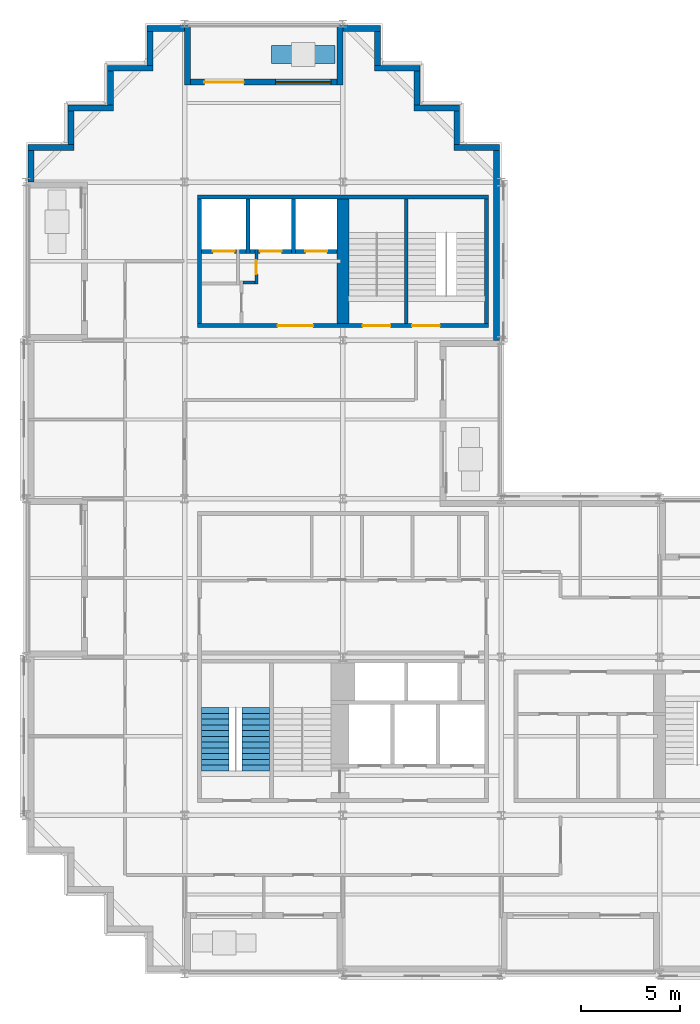
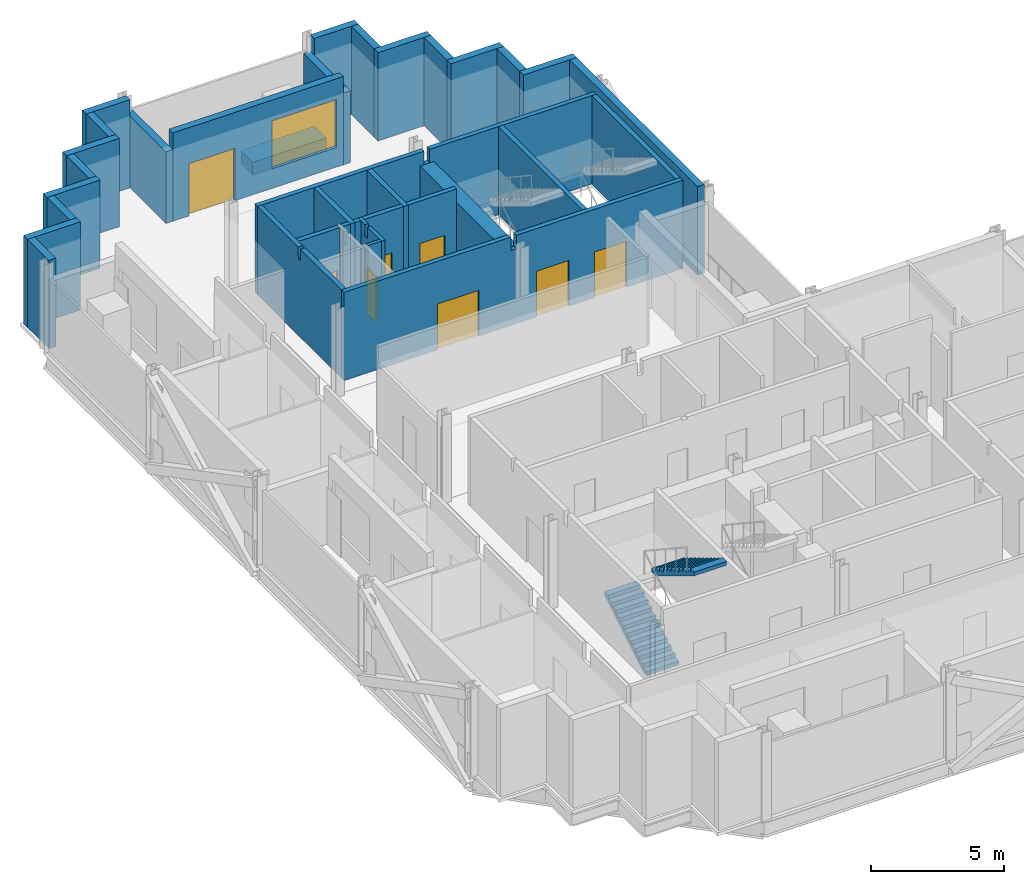
# One storey, part 8 of 12: 35 walls, 8 doors, 2 stair flights, 1 window, 9 openings, 1 element without a shape of its own.
"""IFC4 building model written with IfcOpenShell, lengths in metres."""

from ifc_helpers import new_model, si_unit, direction, frame, frame_2d, origin, place, context, subcontext, project, spatial, polyline, rectangle, outline, extrude, material, layer, layer_set, type_object, element, fill, aggregate, save


model = new_model("IFC4")

# Units and contexts
model_context = context("Model", 3, precision=1e-05, world=origin(), true_north=direction((0.0, 1.0)))
body_context = subcontext(model_context, "Body", "Model", "MODEL_VIEW")
ifc_project = project(units=[si_unit("LENGTHUNIT", "METRE"), si_unit("AREAUNIT", "SQUARE_METRE"), si_unit("VOLUMEUNIT", "CUBIC_METRE"), si_unit("PLANEANGLEUNIT", "RADIAN"), si_unit("MASSUNIT", "GRAM", prefix="KILO")], contexts=[model_context])

# Site, building, storey
site_placement = place(None, origin())
site = spatial("IfcSite", under=ifc_project, at=site_placement, CompositionType="ELEMENT")
building_placement = place(site_placement, origin())
building = spatial("IfcBuilding", under=site, at=building_placement, Name="Immortelle Media Tower", CompositionType="ELEMENT")
storey_placement = place(building_placement, frame((0.0, 0.0, 132.60009765625)))
storey = spatial("IfcBuildingStorey", under=building, at=storey_placement, Name="L26", CompositionType="ELEMENT", Elevation=132.60009765625)

# Wall
ifc_material_1 = material(Name="Fire-rated gypsum board", Category="gypsum")
ifc_layer_1 = layer(ifc_material_1, 0.02490234375)
ifc_material_2 = material(Name="Steel ASTM A653 SS Gr 50 stud frame with mineral wool", Category="steel")
ifc_layer_2 = layer(ifc_material_2, 0.10009765625)
ifc_layer_3 = layer(ifc_material_1, 0.02490234375)
ifc_layer_set_1 = layer_set([ifc_layer_1, ifc_layer_2, ifc_layer_3], Name="Steel ASTM A653 SS Gr 50 stud frame with mineral wool")
wall_type_1 = type_object("IfcWallType", Name="Core partition 150", PredefinedType="PARTITIONING", material=ifc_layer_set_1)
wall_1_placement = place(storey_placement, frame((10.949951171875, 34.925048828125, 0.0), z_axis=(0.0, 0.0, 1.0), x_axis=(1.0, 0.0, 0.0)))
element("IfcWall", 1, at=wall_1_placement, inside=storey, type_object=wall_type_1, Name="Core partition NW", PredefinedType="PARTITIONING", context=body_context, shape_type="SweptSolid", body=[
    extrude(rectangle(XDim=0.60009765625, YDim=0.14990234375, at=frame_2d((0.300048828125, 0.0))), origin(), (0.0, 0.0, 1.0), 4.0498046875),
])

# Wall, opening, door
wall_2_placement = place(storey_placement, frame((11.625, 34.85009765625, 0.0), z_axis=(0.0, 0.0, 1.0), x_axis=(0.0, 1.0, 0.0)))
wall_2 = element("IfcWall", 2, at=wall_2_placement, inside=storey, type_object=wall_type_1, Name="Core partition NW", PredefinedType="PARTITIONING", context=body_context, shape_type="SweptSolid", body=[
    extrude(outline(polyline([(0.0, 0.0), (1.75, 0.0), (1.75, 4.0498046875), (1.237548828125, 4.0498046875), (1.236572265625, 3.517822265625), (1.0634765625, 3.517822265625), (1.0625, 4.0498046875), (0.0, 4.0498046875), (0.0, 0.0)])), frame((0.0, 0.074951171875, 0.0), z_axis=(0.0, -1.0, 0.0), x_axis=(1.0, 0.0, 0.0)), (0.0, 0.0, 1.0), 0.14990234375),
])
opening_1_placement = place(wall_2_placement, frame((0.5, 0.0, 0.0)))
opening_1 = element("IfcOpeningElement", 3, at=opening_1_placement, cuts=wall_2, Name="Opening C2-K024", PredefinedType="OPENING", context=body_context, shape_type="SweptSolid", body=[
    extrude(rectangle(XDim=0.699951171875, YDim=2.10009765625, at=frame_2d((0.35009765625, 1.050048828125))), frame((0.0, 0.0849609375, 0.0), z_axis=(0.0, -1.0, 0.0), x_axis=(1.0, 0.0, 0.0)), (0.0, 0.0, 1.0), 0.169921875),
])
ifc_material_3 = material(Name="Galvanised steel door leaf and frame ASTM A653", Category="steel")
door_type_1 = type_object("IfcDoorType", Name="Service door 700 x 2100", OperationType="NOTDEFINED", PredefinedType="NOTDEFINED", material=ifc_material_3)
door_1_placement = place(opening_1_placement, origin())
door_1 = element("IfcDoor", 4, at=door_1_placement, inside=storey, type_object=door_type_1, Name="Service C2-K024", OperationType="SINGLE_SWING_LEFT", OverallHeight=2.10009765625, OverallWidth=0.699951171875, PredefinedType="NOTDEFINED", context=body_context, shape_type="SweptSolid", body=[
    extrude(rectangle(XDim=0.699951171875, YDim=2.10009765625, at=frame_2d((0.35009765625, 1.050048828125))), frame((0.0, 0.02490234375, 0.0), z_axis=(0.0, -1.0, 0.0), x_axis=(1.0, 0.0, 0.0)), (0.0, 0.0, 1.0), 0.050048828125),
])
fill(opening_1, door_1)

# Wall
ifc_layer_4 = layer(ifc_material_1, 0.03759765625)
ifc_layer_5 = layer(ifc_material_2, 0.125)
ifc_layer_6 = layer(ifc_material_1, 0.03759765625)
ifc_layer_set_2 = layer_set([ifc_layer_4, ifc_layer_5, ifc_layer_6], Name="Steel ASTM A653 SS Gr 50 stud frame with mineral wool")
wall_type_2 = type_object("IfcWallType", Name="Core shaft wall 200", PredefinedType="PARTITIONING", material=ifc_layer_set_2)
wall_3_placement = place(storey_placement, frame((8.75, 32.85009765625, 0.0), z_axis=(0.0, 0.0, 1.0), x_axis=(0.0, 1.0, 0.0)))
element("IfcWall", 5, at=wall_3_placement, inside=storey, type_object=wall_type_2, Name="Core shaft wall NW", PredefinedType="PARTITIONING", context=body_context, shape_type="SweptSolid", body=[
    extrude(outline(polyline([(0.0, 0.0), (6.2998046875, 0.0), (6.300048828125, 4.0498046875), (3.237548828125, 4.0498046875), (3.236572265625, 3.517822265625), (3.0634765625, 3.517822265625), (3.0625, 4.0498046875), (0.0, 4.0498046875), (0.0, 0.0)])), frame((0.0, 0.10009765625, 0.0), z_axis=(0.0, -1.0, 0.0), x_axis=(1.0, 0.0, 0.0)), (0.0, 0.0, 1.0), 0.199951171875),
])

# Wall, opening, door
wall_4_placement = place(storey_placement, frame((8.85009765625, 36.5, 0.0), z_axis=(0.0, 0.0, 1.0), x_axis=(1.0, 0.0, 0.0)))
wall_4 = element("IfcWall", 6, at=wall_4_placement, inside=storey, type_object=wall_type_2, Name="Core shaft wall NW", PredefinedType="PARTITIONING", context=body_context, shape_type="SweptSolid", body=[
    extrude(rectangle(XDim=1.77490234375, YDim=0.199951171875, at=frame_2d((0.887451171875, 0.0))), origin(), (0.0, 0.0, 1.0), 4.0498046875),
])
opening_2_placement = place(wall_4_placement, frame((0.574951171875, 0.0, 0.0)))
opening_2 = element("IfcOpeningElement", 7, at=opening_2_placement, cuts=wall_4, Name="Opening LD", PredefinedType="OPENING", context=body_context, shape_type="SweptSolid", body=[
    extrude(rectangle(XDim=1.10009765625, YDim=2.10009765625, at=frame_2d((0.550048828125, 1.050048828125))), frame((0.0, 0.10986328125, 0.0), z_axis=(0.0, -1.0, 0.0), x_axis=(1.0, 0.0, 0.0)), (0.0, 0.0, 1.0), 0.219970703125),
])
ifc_material_4 = material(Name="Stainless steel AISI 304", Category="steel")
door_type_2 = type_object("IfcDoorType", Name="Landing door 1100 x 2100", OperationType="SLIDING_TO_LEFT", PredefinedType="NOTDEFINED", material=ifc_material_4)
door_2_placement = place(opening_2_placement, origin())
door_2 = element("IfcDoor", 8, at=door_2_placement, inside=storey, type_object=door_type_2, Name="Landing door MR1 L26", OperationType="SLIDING_TO_LEFT", OverallHeight=2.10009765625, OverallWidth=1.10009765625, PredefinedType="NOTDEFINED", context=body_context, shape_type="SweptSolid", body=[
    extrude(rectangle(XDim=1.10009765625, YDim=2.10009765625, at=frame_2d((0.550048828125, 1.050048828125))), frame((0.0, 0.02490234375, 0.0), z_axis=(0.0, -1.0, 0.0), x_axis=(1.0, 0.0, 0.0)), (0.0, 0.0, 1.0), 0.050048828125),
])
fill(opening_2, door_2)

# Walls
wall_5_placement = place(storey_placement, frame((10.77490234375, 36.5, 0.0), z_axis=(0.0, 0.0, 1.0), x_axis=(1.0, 0.0, 0.0)))
element("IfcWall", 9, at=wall_5_placement, inside=storey, type_object=wall_type_2, Name="Core shaft wall NW", PredefinedType="PARTITIONING", context=body_context, shape_type="SweptSolid", body=[
    extrude(rectangle(XDim=0.3251953125, YDim=0.199951171875, at=frame_2d((0.16259765625, 0.0))), origin(), (0.0, 0.0, 1.0), 4.0498046875),
])
wall_6_placement = place(storey_placement, frame((11.199951171875, 36.39990234375, 0.0), z_axis=(0.0, 0.0, 1.0), x_axis=(0.0, 1.0, 0.0)))
element("IfcWall", 10, at=wall_6_placement, inside=storey, type_object=wall_type_2, Name="Core shaft wall NW", PredefinedType="PARTITIONING", context=body_context, shape_type="SweptSolid", body=[
    extrude(rectangle(XDim=2.75, YDim=0.199951171875, at=frame_2d((1.375, 0.0))), origin(), (0.0, 0.0, 1.0), 4.0498046875),
])
wall_7_placement = place(storey_placement, frame((11.300048828125, 36.5, 0.0), z_axis=(0.0, 0.0, 1.0), x_axis=(1.0, 0.0, 0.0)))
element("IfcWall", 11, at=wall_7_placement, inside=storey, type_object=wall_type_2, Name="Core shaft wall NW", PredefinedType="PARTITIONING", context=body_context, shape_type="SweptSolid", body=[
    extrude(rectangle(XDim=0.25, YDim=0.199951171875, at=frame_2d((0.125, 0.0))), origin(), (0.0, 0.0, 1.0), 4.0498046875),
])

# Wall, opening, door
wall_8_placement = place(storey_placement, frame((11.699951171875, 36.5, 0.0), z_axis=(0.0, 0.0, 1.0), x_axis=(1.0, 0.0, 0.0)))
wall_8 = element("IfcWall", 12, at=wall_8_placement, inside=storey, type_object=wall_type_2, Name="Core shaft wall NW", PredefinedType="PARTITIONING", context=body_context, shape_type="SweptSolid", body=[
    extrude(rectangle(XDim=1.699951171875, YDim=0.199951171875, at=frame_2d((0.85009765625, 0.0))), origin(), (0.0, 0.0, 1.0), 4.0498046875),
])
opening_3_placement = place(wall_8_placement, frame((0.10009765625, 0.0, 0.0)))
opening_3 = element("IfcOpeningElement", 13, at=opening_3_placement, cuts=wall_8, Name="Opening LD", PredefinedType="OPENING", context=body_context, shape_type="SweptSolid", body=[
    extrude(rectangle(XDim=1.10009765625, YDim=2.10009765625, at=frame_2d((0.550048828125, 1.050048828125))), frame((0.0, 0.10986328125, 0.0), z_axis=(0.0, -1.0, 0.0), x_axis=(1.0, 0.0, 0.0)), (0.0, 0.0, 1.0), 0.219970703125),
])
door_3_placement = place(opening_3_placement, origin())
door_3 = element("IfcDoor", 14, at=door_3_placement, inside=storey, type_object=door_type_2, Name="Landing door MR2 L26", OperationType="SLIDING_TO_LEFT", OverallHeight=2.10009765625, OverallWidth=1.10009765625, PredefinedType="NOTDEFINED", context=body_context, shape_type="SweptSolid", body=[
    extrude(rectangle(XDim=1.10009765625, YDim=2.10009765625, at=frame_2d((0.550048828125, 1.050048828125))), frame((0.0, 0.02490234375, 0.0), z_axis=(0.0, -1.0, 0.0), x_axis=(1.0, 0.0, 0.0)), (0.0, 0.0, 1.0), 0.050048828125),
])
fill(opening_3, door_3)

# Wall
wall_9_placement = place(storey_placement, frame((13.5, 36.39990234375, 0.0), z_axis=(0.0, 0.0, 1.0), x_axis=(0.0, 1.0, 0.0)))
element("IfcWall", 15, at=wall_9_placement, inside=storey, type_object=wall_type_2, Name="Core shaft wall NW", PredefinedType="PARTITIONING", context=body_context, shape_type="SweptSolid", body=[
    extrude(rectangle(XDim=2.75, YDim=0.199951171875, at=frame_2d((1.375, 0.0))), origin(), (0.0, 0.0, 1.0), 4.0498046875),
])

# Wall, opening, door
wall_10_placement = place(storey_placement, frame((13.60009765625, 36.5, 0.0), z_axis=(0.0, 0.0, 1.0), x_axis=(1.0, 0.0, 0.0)))
wall_10 = element("IfcWall", 16, at=wall_10_placement, inside=storey, type_object=wall_type_2, Name="Core shaft wall NW", PredefinedType="PARTITIONING", context=body_context, shape_type="SweptSolid", body=[
    extrude(rectangle(XDim=2.099853515625, YDim=0.199951171875, at=frame_2d((1.0498046875, 0.0))), origin(), (0.0, 0.0, 1.0), 4.0498046875),
])
opening_4_placement = place(wall_10_placement, frame((0.5, 0.0, 0.0)))
opening_4 = element("IfcOpeningElement", 17, at=opening_4_placement, cuts=wall_10, Name="Opening LD", PredefinedType="OPENING", context=body_context, shape_type="SweptSolid", body=[
    extrude(rectangle(XDim=1.10009765625, YDim=2.10009765625, at=frame_2d((0.550048828125, 1.050048828125))), frame((0.0, 0.10986328125, 0.0), z_axis=(0.0, -1.0, 0.0), x_axis=(1.0, 0.0, 0.0)), (0.0, 0.0, 1.0), 0.219970703125),
])
door_4_placement = place(opening_4_placement, origin())
door_4 = element("IfcDoor", 18, at=door_4_placement, inside=storey, type_object=door_type_2, Name="Landing door MR3 L26", OperationType="SLIDING_TO_LEFT", OverallHeight=2.10009765625, OverallWidth=1.10009765625, PredefinedType="NOTDEFINED", context=body_context, shape_type="SweptSolid", body=[
    extrude(rectangle(XDim=1.10009765625, YDim=2.10009765625, at=frame_2d((0.550048828125, 1.050048828125))), frame((0.0, 0.02490234375, 0.0), z_axis=(0.0, -1.0, 0.0), x_axis=(1.0, 0.0, 0.0)), (0.0, 0.0, 1.0), 0.050048828125),
])
fill(opening_4, door_4)

# Walls
ifc_material_5 = material(Name="Pale aluminium cladding panel", Category="aluminium")
ifc_layer_7 = layer(ifc_material_5, 0.030029296875)
ifc_layer_8 = layer(ifc_material_2, 0.257568359375)
ifc_material_6 = material(Name="Moisture-resistant gypsum board", Category="gypsum")
ifc_layer_9 = layer(ifc_material_6, 0.012451171875)
ifc_layer_set_3 = layer_set([ifc_layer_7, ifc_layer_8, ifc_layer_9], Name="Steel ASTM A653 SS Gr 50 stud frame with mineral wool")
wall_type_3 = type_object("IfcWallType", Name="Facade wall 300", PredefinedType="SOLIDWALL", material=ifc_layer_set_3)
wall_11_placement = place(storey_placement, frame((23.75, 32.0, 0.0), z_axis=(0.0, 0.0, 1.0), x_axis=(0.0, 1.0, 0.0)))
element("IfcWall", 19, at=wall_11_placement, inside=storey, type_object=wall_type_3, Name="Facade wall L26 E21", PredefinedType="SOLIDWALL", context=body_context, shape_type="SweptSolid", body=[
    extrude(rectangle(XDim=9.60009765625, YDim=0.300048828125, at=frame_2d((4.800048828125, 0.0))), origin(), (0.0, 0.0, 1.0), 4.0498046875),
])
wall_12_placement = place(storey_placement, frame((23.89990234375, 41.75, 0.0), z_axis=(0.0, 0.0, 1.0), x_axis=(-1.0, 0.0, 0.0)))
element("IfcWall", 20, at=wall_12_placement, inside=storey, type_object=wall_type_3, Name="Facade wall L26 N22", PredefinedType="SOLIDWALL", context=body_context, shape_type="SweptSolid", body=[
    extrude(rectangle(XDim=2.2998046875, YDim=0.300048828125, at=frame_2d((1.14990234375, 0.0))), origin(), (0.0, 0.0, 1.0), 4.0498046875),
])
wall_13_placement = place(storey_placement, frame((21.75, 41.89990234375, 0.0), z_axis=(0.0, 0.0, 1.0), x_axis=(0.0, 1.0, 0.0)))
element("IfcWall", 21, at=wall_13_placement, inside=storey, type_object=wall_type_3, Name="Facade wall L26 E23", PredefinedType="SOLIDWALL", context=body_context, shape_type="SweptSolid", body=[
    extrude(rectangle(XDim=1.7001953125, YDim=0.300048828125, at=frame_2d((0.85009765625, 0.0))), origin(), (0.0, 0.0, 1.0), 4.0498046875),
])
wall_14_placement = place(storey_placement, frame((21.89990234375, 43.75, 0.0), z_axis=(0.0, 0.0, 1.0), x_axis=(-1.0, 0.0, 0.0)))
element("IfcWall", 22, at=wall_14_placement, inside=storey, type_object=wall_type_3, Name="Facade wall L26 N24", PredefinedType="SOLIDWALL", context=body_context, shape_type="SweptSolid", body=[
    extrude(rectangle(XDim=2.2998046875, YDim=0.300048828125, at=frame_2d((1.14990234375, 0.0))), origin(), (0.0, 0.0, 1.0), 4.0498046875),
])
wall_15_placement = place(storey_placement, frame((19.75, 43.89990234375, 0.0), z_axis=(0.0, 0.0, 1.0), x_axis=(0.0, 1.0, 0.0)))
element("IfcWall", 23, at=wall_15_placement, inside=storey, type_object=wall_type_3, Name="Facade wall L26 E25", PredefinedType="SOLIDWALL", context=body_context, shape_type="SweptSolid", body=[
    extrude(rectangle(XDim=1.7001953125, YDim=0.300048828125, at=frame_2d((0.85009765625, 0.0))), origin(), (0.0, 0.0, 1.0), 4.0498046875),
])
wall_16_placement = place(storey_placement, frame((19.89990234375, 45.75, 0.0), z_axis=(0.0, 0.0, 1.0), x_axis=(-1.0, 0.0, 0.0)))
element("IfcWall", 24, at=wall_16_placement, inside=storey, type_object=wall_type_3, Name="Facade wall L26 N26", PredefinedType="SOLIDWALL", context=body_context, shape_type="SweptSolid", body=[
    extrude(rectangle(XDim=2.2998046875, YDim=0.300048828125, at=frame_2d((1.14990234375, 0.0))), origin(), (0.0, 0.0, 1.0), 4.0498046875),
])
wall_17_placement = place(storey_placement, frame((17.75, 45.89990234375, 0.0), z_axis=(0.0, 0.0, 1.0), x_axis=(0.0, 1.0, 0.0)))
element("IfcWall", 25, at=wall_17_placement, inside=storey, type_object=wall_type_3, Name="Facade wall L26 E27", PredefinedType="SOLIDWALL", context=body_context, shape_type="SweptSolid", body=[
    extrude(rectangle(XDim=1.7001953125, YDim=0.300048828125, at=frame_2d((0.85009765625, 0.0))), origin(), (0.0, 0.0, 1.0), 4.0498046875),
])
wall_18_placement = place(storey_placement, frame((17.89990234375, 47.75, 0.0), z_axis=(0.0, 0.0, 1.0), x_axis=(-1.0, 0.0, 0.0)))
element("IfcWall", 26, at=wall_18_placement, inside=storey, type_object=wall_type_3, Name="Facade wall L26 N28", PredefinedType="SOLIDWALL", context=body_context, shape_type="SweptSolid", body=[
    extrude(rectangle(XDim=1.89990234375, YDim=0.300048828125, at=frame_2d((0.949951171875, 0.0))), origin(), (0.0, 0.0, 1.0), 4.0498046875),
])

# Wall, openings, door, window
wall_19_placement = place(storey_placement, frame((15.699951171875, 45.050048828125, 0.0), z_axis=(0.0, 0.0, 1.0), x_axis=(-1.0, 0.0, 0.0)))
wall_19 = element("IfcWall", 27, at=wall_19_placement, inside=storey, type_object=wall_type_3, Name="Loggia wall L26 N28", PredefinedType="SOLIDWALL", context=body_context, shape_type="SweptSolid", body=[
    extrude(rectangle(XDim=7.39990234375, YDim=0.300048828125, at=frame_2d((3.699951171875, 0.0))), origin(), (0.0, 0.0, 1.0), 4.0498046875),
])
opening_5_placement = place(wall_19_placement, frame((0.300048828125, 0.0, 0.89990234375)))
opening_5 = element("IfcOpeningElement", 28, at=opening_5_placement, cuts=wall_19, Name="Opening W1", PredefinedType="OPENING", context=body_context, shape_type="SweptSolid", body=[
    extrude(rectangle(XDim=2.800048828125, YDim=2.199951171875, at=frame_2d((1.39990234375, 1.10009765625))), frame((0.0, 0.159912109375, 0.0), z_axis=(0.0, -1.0, 0.0), x_axis=(1.0, 0.0, 0.0)), (0.0, 0.0, 1.0), 0.320068359375),
])
opening_6_placement = place(wall_19_placement, frame((4.699951171875, 0.0, 0.0)))
opening_6 = element("IfcOpeningElement", 29, at=opening_6_placement, cuts=wall_19, Name="Opening C2-E006", PredefinedType="OPENING", context=body_context, shape_type="SweptSolid", body=[
    extrude(rectangle(XDim=2.0, YDim=2.39990234375, at=frame_2d((1.0, 1.199951171875))), frame((0.0, 0.159912109375, 0.0), z_axis=(0.0, -1.0, 0.0), x_axis=(1.0, 0.0, 0.0)), (0.0, 0.0, 1.0), 0.320068359375),
])
ifc_material_7 = material(Name="Aluminium frame, glazed leaves", Category="aluminium")
door_type_3 = type_object("IfcDoorType", Name="Loggia door 2000 x 2400", OperationType="DOUBLE_DOOR_SINGLE_SWING", PredefinedType="DOOR", material=ifc_material_7)
door_5_placement = place(opening_6_placement, origin())
door_5 = element("IfcDoor", 30, at=door_5_placement, inside=storey, type_object=door_type_3, Name="Door C2-E006", OperationType="DOUBLE_DOOR_SINGLE_SWING", OverallHeight=2.39990234375, OverallWidth=2.0, PredefinedType="DOOR", context=body_context, shape_type="SweptSolid", body=[
    extrude(rectangle(XDim=2.0, YDim=2.39990234375, at=frame_2d((1.0, 1.199951171875))), frame((0.0, 0.02490234375, 0.0), z_axis=(0.0, -1.0, 0.0), x_axis=(1.0, 0.0, 0.0)), (0.0, 0.0, 1.0), 0.050048828125),
])
fill(opening_6, door_5)
ifc_material_8 = material(Name="Aluminium frame", Category="aluminium")
window_type = type_object("IfcWindowType", Name="Window 2800 x 2200", PartitioningType="SINGLE_PANEL", PredefinedType="WINDOW", material=ifc_material_8)
window_placement = place(opening_5_placement, origin())
window = element("IfcWindow", 31, at=window_placement, inside=storey, type_object=window_type, Name="Window L26 L26-R28-B0", OverallHeight=2.199951171875, OverallWidth=2.800048828125, PartitioningType="SINGLE_PANEL", PredefinedType="WINDOW", context=body_context, shape_type="SweptSolid", body=[
    extrude(rectangle(XDim=2.800048828125, YDim=2.199951171875, at=frame_2d((1.39990234375, 1.10009765625))), frame((0.0, 0.030029296875, 0.0), z_axis=(0.0, -1.0, 0.0), x_axis=(1.0, 0.0, 0.0)), (0.0, 0.0, 1.0), 0.06005859375),
])
fill(opening_5, window)

# Walls
for number, where, z_axis, x_axis, name in (
    (32, (15.85009765625, 47.89990234375, 0.0), (0.0, 0.0, 1.0), (0.0, -1.0, 0.0), "Loggia cheek wall L26 N"),
    (33, (8.14990234375, 47.89990234375, 0.0), (0.0, 0.0, 1.0), (0.0, -1.0, 0.0), "Loggia cheek wall L26 N"),
):
    element("IfcWall", number, at=place(storey_placement, frame(where, z_axis=z_axis, x_axis=x_axis)), inside=storey, type_object=wall_type_3, Name=name, PredefinedType="SOLIDWALL", context=body_context, shape_type="SweptSolid", body=[
        extrude(rectangle(XDim=3.0, YDim=0.300048828125, at=frame_2d((1.5, 0.0))), origin(), (0.0, 0.0, 1.0), 3.286865234375),
    ])
wall_20_placement = place(storey_placement, frame((8.0, 47.75, 0.0), z_axis=(0.0, 0.0, 1.0), x_axis=(-1.0, 0.0, 0.0)))
element("IfcWall", 34, at=wall_20_placement, inside=storey, type_object=wall_type_3, Name="Facade wall L26 N28", PredefinedType="SOLIDWALL", context=body_context, shape_type="SweptSolid", body=[
    extrude(rectangle(XDim=1.89990234375, YDim=0.300048828125, at=frame_2d((0.949951171875, 0.0))), origin(), (0.0, 0.0, 1.0), 4.0498046875),
])
wall_21_placement = place(storey_placement, frame((6.25, 47.60009765625, 0.0), z_axis=(0.0, 0.0, 1.0), x_axis=(0.0, -1.0, 0.0)))
element("IfcWall", 35, at=wall_21_placement, inside=storey, type_object=wall_type_3, Name="Facade wall L26 W29", PredefinedType="SOLIDWALL", context=body_context, shape_type="SweptSolid", body=[
    extrude(rectangle(XDim=1.7001953125, YDim=0.300048828125, at=frame_2d((0.85009765625, 0.0))), origin(), (0.0, 0.0, 1.0), 4.0498046875),
])
wall_22_placement = place(storey_placement, frame((6.39990234375, 45.75, 0.0), z_axis=(0.0, 0.0, 1.0), x_axis=(-1.0, 0.0, 0.0)))
element("IfcWall", 36, at=wall_22_placement, inside=storey, type_object=wall_type_3, Name="Facade wall L26 N30", PredefinedType="SOLIDWALL", context=body_context, shape_type="SweptSolid", body=[
    extrude(rectangle(XDim=2.2998046875, YDim=0.300048828125, at=frame_2d((1.14990234375, 0.0))), origin(), (0.0, 0.0, 1.0), 4.0498046875),
])
wall_23_placement = place(storey_placement, frame((4.25, 45.60009765625, 0.0), z_axis=(0.0, 0.0, 1.0), x_axis=(0.0, -1.0, 0.0)))
element("IfcWall", 37, at=wall_23_placement, inside=storey, type_object=wall_type_3, Name="Facade wall L26 W31", PredefinedType="SOLIDWALL", context=body_context, shape_type="SweptSolid", body=[
    extrude(rectangle(XDim=1.7001953125, YDim=0.300048828125, at=frame_2d((0.85009765625, 0.0))), origin(), (0.0, 0.0, 1.0), 4.0498046875),
])
wall_24_placement = place(storey_placement, frame((4.39990234375, 43.75, 0.0), z_axis=(0.0, 0.0, 1.0), x_axis=(-1.0, 0.0, 0.0)))
element("IfcWall", 38, at=wall_24_placement, inside=storey, type_object=wall_type_3, Name="Facade wall L26 N32", PredefinedType="SOLIDWALL", context=body_context, shape_type="SweptSolid", body=[
    extrude(rectangle(XDim=2.2998046875, YDim=0.300048828125, at=frame_2d((1.14990234375, 0.0))), origin(), (0.0, 0.0, 1.0), 4.0498046875),
])
wall_25_placement = place(storey_placement, frame((2.25, 43.60009765625, 0.0), z_axis=(0.0, 0.0, 1.0), x_axis=(0.0, -1.0, 0.0)))
element("IfcWall", 39, at=wall_25_placement, inside=storey, type_object=wall_type_3, Name="Facade wall L26 W33", PredefinedType="SOLIDWALL", context=body_context, shape_type="SweptSolid", body=[
    extrude(rectangle(XDim=1.7001953125, YDim=0.300048828125, at=frame_2d((0.85009765625, 0.0))), origin(), (0.0, 0.0, 1.0), 4.0498046875),
])
wall_26_placement = place(storey_placement, frame((2.39990234375, 41.75, 0.0), z_axis=(0.0, 0.0, 1.0), x_axis=(-1.0, 0.0, 0.0)))
element("IfcWall", 40, at=wall_26_placement, inside=storey, type_object=wall_type_3, Name="Facade wall L26 N34", PredefinedType="SOLIDWALL", context=body_context, shape_type="SweptSolid", body=[
    extrude(rectangle(XDim=2.2998046875, YDim=0.300048828125, at=frame_2d((1.14990234375, 0.0))), origin(), (0.0, 0.0, 1.0), 4.0498046875),
])
wall_27_placement = place(storey_placement, frame((0.25, 41.60009765625, 0.0), z_axis=(0.0, 0.0, 1.0), x_axis=(0.0, -1.0, 0.0)))
element("IfcWall", 41, at=wall_27_placement, inside=storey, type_object=wall_type_3, Name="Facade wall L26 W35", PredefinedType="SOLIDWALL", context=body_context, shape_type="SweptSolid", body=[
    extrude(rectangle(XDim=1.60009765625, YDim=0.300048828125, at=frame_2d((0.800048828125, 0.0))), origin(), (0.0, 0.0, 1.0), 4.0498046875),
])
ifc_layer_10 = layer(ifc_material_5, 0.0029296875)
ifc_material_9 = material(Name="Steel ASTM A572 Gr 50 planter shell", Category="steel")
ifc_layer_11 = layer(ifc_material_9, 0.011962890625)
ifc_material_10 = material(Name="Planting substrate", Category="soil")
ifc_layer_12 = layer(ifc_material_10, 0.873046875)
ifc_layer_13 = layer(ifc_material_9, 0.011962890625)
ifc_layer_set_4 = layer_set([ifc_layer_10, ifc_layer_11, ifc_layer_12, ifc_layer_13], Name="Steel ASTM A572 Gr 50 planter shell")
wall_type_4 = type_object("IfcWallType", Name="Planter wall 900", PredefinedType="SOLIDWALL", material=ifc_layer_set_4)
wall_28_placement = place(storey_placement, frame((15.60009765625, 46.449951171875, 0.0), z_axis=(0.0, 0.0, 1.0), x_axis=(-1.0, 0.0, 0.0)))
element("IfcWall", 42, at=wall_28_placement, inside=storey, type_object=wall_type_4, Name="Planter L26 N0", PredefinedType="SOLIDWALL", context=body_context, shape_type="SweptSolid", body=[
    extrude(rectangle(XDim=3.2001953125, YDim=0.89990234375, at=frame_2d((1.60009765625, 0.0))), origin(), (0.0, 0.0, 1.0), 0.599853515625),
])

# Wall, openings, doors
ifc_material_11 = material(Name="Concrete C60", Category="concrete")
ifc_layer_14 = layer(ifc_material_11, 0.199951171875)
ifc_layer_set_5 = layer_set([ifc_layer_14], Name="Concrete C60")
wall_type_5 = type_object("IfcWallType", Name="Stair shaft wall 200", PredefinedType="PARTITIONING", material=ifc_layer_set_5)
wall_29_placement = place(storey_placement, frame((8.64990234375, 32.75, 0.0), z_axis=(0.0, 0.0, 1.0), x_axis=(1.0, 0.0, 0.0)))
wall_29 = element("IfcWall", 43, at=wall_29_placement, inside=storey, type_object=wall_type_5, Name="Stair shaft wall NW", PredefinedType="PARTITIONING", context=body_context, shape_type="SweptSolid", body=[
    extrude(outline(polyline([(0.0, 0.0), (14.7001953125, 0.0), (14.699951171875, 4.0498046875), (7.469482421875, 4.0498046875), (7.468505859375, 3.431884765625), (7.2314453125, 3.431884765625), (7.23046875, 4.0498046875), (0.0, 4.0498046875), (0.0, 0.0)])), frame((0.0, 0.10009765625, 0.0), z_axis=(0.0, -1.0, 0.0), x_axis=(1.0, 0.0, 0.0)), (0.0, 0.0, 1.0), 0.199951171875),
])
opening_7_placement = place(wall_29_placement, frame((4.050048828125, 0.0, 0.0)))
opening_7 = element("IfcOpeningElement", 44, at=opening_7_placement, cuts=wall_29, Name="Opening C2-K026", PredefinedType="OPENING", context=body_context, shape_type="SweptSolid", body=[
    extrude(rectangle(XDim=1.800048828125, YDim=2.10009765625, at=frame_2d((0.89990234375, 1.050048828125))), frame((0.0, 0.10986328125, 0.0), z_axis=(0.0, -1.0, 0.0), x_axis=(1.0, 0.0, 0.0)), (0.0, 0.0, 1.0), 0.219970703125),
])
opening_8_placement = place(wall_29_placement, frame((8.35009765625, 0.0, 0.0)))
opening_8 = element("IfcOpeningElement", 45, at=opening_8_placement, cuts=wall_29, Name="Opening C2-K028", PredefinedType="OPENING", context=body_context, shape_type="SweptSolid", body=[
    extrude(rectangle(XDim=1.39990234375, YDim=2.10009765625, at=frame_2d((0.699951171875, 1.050048828125))), frame((0.0, 0.10986328125, 0.0), z_axis=(0.0, -1.0, 0.0), x_axis=(1.0, 0.0, 0.0)), (0.0, 0.0, 1.0), 0.219970703125),
])
opening_9_placement = place(wall_29_placement, frame((10.85009765625, 0.0, 0.0)))
opening_9 = element("IfcOpeningElement", 46, at=opening_9_placement, cuts=wall_29, Name="Opening C2-K029", PredefinedType="OPENING", context=body_context, shape_type="SweptSolid", body=[
    extrude(rectangle(XDim=1.39990234375, YDim=2.10009765625, at=frame_2d((0.699951171875, 1.050048828125))), frame((0.0, 0.10986328125, 0.0), z_axis=(0.0, -1.0, 0.0), x_axis=(1.0, 0.0, 0.0)), (0.0, 0.0, 1.0), 0.219970703125),
])
door_type_4 = type_object("IfcDoorType", Name="Lift lobby door 1800 x 2100", OperationType="DOUBLE_DOOR_SINGLE_SWING", PredefinedType="NOTDEFINED", material=ifc_material_3)
door_6_placement = place(opening_7_placement, origin())
door_6 = element("IfcDoor", 47, at=door_6_placement, inside=storey, type_object=door_type_4, Name="Lift lobby C2-K026", OperationType="DOUBLE_DOOR_SINGLE_SWING", OverallHeight=2.10009765625, OverallWidth=1.800048828125, PredefinedType="NOTDEFINED", context=body_context, shape_type="SweptSolid", body=[
    extrude(rectangle(XDim=1.800048828125, YDim=2.10009765625, at=frame_2d((0.89990234375, 1.050048828125))), frame((0.0, 0.02490234375, 0.0), z_axis=(0.0, -1.0, 0.0), x_axis=(1.0, 0.0, 0.0)), (0.0, 0.0, 1.0), 0.050048828125),
])
fill(opening_7, door_6)
door_type_5 = type_object("IfcDoorType", Name="Stair door 1400 x 2100", OperationType="DOUBLE_DOOR_SINGLE_SWING", PredefinedType="NOTDEFINED", material=ifc_material_3)
door_7_placement = place(opening_8_placement, origin())
door_7 = element("IfcDoor", 48, at=door_7_placement, inside=storey, type_object=door_type_5, Name="Stair C2-K028", OperationType="DOUBLE_DOOR_SINGLE_SWING", OverallHeight=2.10009765625, OverallWidth=1.39990234375, PredefinedType="NOTDEFINED", context=body_context, shape_type="SweptSolid", body=[
    extrude(rectangle(XDim=1.39990234375, YDim=2.10009765625, at=frame_2d((0.699951171875, 1.050048828125))), frame((0.0, 0.02490234375, 0.0), z_axis=(0.0, -1.0, 0.0), x_axis=(1.0, 0.0, 0.0)), (0.0, 0.0, 1.0), 0.050048828125),
])
fill(opening_8, door_7)
door_8_placement = place(opening_9_placement, origin())
door_8 = element("IfcDoor", 49, at=door_8_placement, inside=storey, type_object=door_type_5, Name="Stair C2-K029", OperationType="DOUBLE_DOOR_SINGLE_SWING", OverallHeight=2.10009765625, OverallWidth=1.39990234375, PredefinedType="NOTDEFINED", context=body_context, shape_type="SweptSolid", body=[
    extrude(rectangle(XDim=1.39990234375, YDim=2.10009765625, at=frame_2d((0.699951171875, 1.050048828125))), frame((0.0, 0.02490234375, 0.0), z_axis=(0.0, -1.0, 0.0), x_axis=(1.0, 0.0, 0.0)), (0.0, 0.0, 1.0), 0.050048828125),
])
fill(opening_9, door_8)

# Walls
wall_30_placement = place(storey_placement, frame((8.64990234375, 39.25, 0.0), z_axis=(0.0, 0.0, 1.0), x_axis=(1.0, 0.0, 0.0)))
element("IfcWall", 50, at=wall_30_placement, inside=storey, type_object=wall_type_5, Name="Stair shaft wall NW", PredefinedType="PARTITIONING", context=body_context, shape_type="SweptSolid", body=[
    extrude(outline(polyline([(0.0, 0.0), (14.7001953125, 0.0), (14.699951171875, 4.0498046875), (7.469482421875, 4.0498046875), (7.468505859375, 3.431884765625), (7.2314453125, 3.431884765625), (7.23046875, 4.0498046875), (0.0, 4.0498046875), (0.0, 0.0)])), frame((0.0, 0.10009765625, 0.0), z_axis=(0.0, -1.0, 0.0), x_axis=(1.0, 0.0, 0.0)), (0.0, 0.0, 1.0), 0.199951171875),
])
for number, where, z_axis, x_axis, name in (
    (51, (19.199951171875, 32.85009765625, 0.0), (0.0, 0.0, 1.0), (0.0, 1.0, 0.0), "Stair shaft wall NW"),
    (52, (23.25, 32.85009765625, 0.0), (0.0, 0.0, 1.0), (0.0, 1.0, 0.0), "Stair shaft wall NW"),
):
    element("IfcWall", number, at=place(storey_placement, frame(where, z_axis=z_axis, x_axis=x_axis)), inside=storey, type_object=wall_type_5, Name=name, PredefinedType="PARTITIONING", context=body_context, shape_type="SweptSolid", body=[
        extrude(rectangle(XDim=6.2998046875, YDim=0.199951171875, at=frame_2d((3.14990234375, 0.0))), origin(), (0.0, 0.0, 1.0), 4.0498046875),
    ])
ifc_layer_15 = layer(ifc_material_11, 0.60009765625)
ifc_layer_set_6 = layer_set([ifc_layer_15], Name="Concrete C60")
wall_type_6 = type_object("IfcWallType", Name="Stair shaft wall 600", PredefinedType="PARTITIONING", material=ifc_layer_set_6)
wall_31_placement = place(storey_placement, frame((16.0, 32.85009765625, 0.0), z_axis=(0.0, 0.0, 1.0), x_axis=(0.0, 1.0, 0.0)))
element("IfcWall", 53, at=wall_31_placement, inside=storey, type_object=wall_type_6, Name="Stair shaft wall NW", PredefinedType="PARTITIONING", context=body_context, shape_type="SweptSolid", body=[
    extrude(rectangle(XDim=6.2998046875, YDim=0.60009765625, at=frame_2d((3.14990234375, 0.0))), origin(), (0.0, 0.0, 1.0), 3.431884765625),
])

# Stair, stair flights
ifc_material_12 = material(Name="Steel ASTM A992 Gr 50", Category="steel")
stair_type = type_object("IfcStairType", Name="Stair with flights", PredefinedType="DOUBLE_RETURN_STAIR", material=ifc_material_12)
stair_placement = place(storey_placement, origin())
stair = element("IfcStair", 54, at=stair_placement, inside=storey, type_object=stair_type, Name="Exit stair SW1", PredefinedType="DOUBLE_RETURN_STAIR")
stair_flight_type = type_object("IfcStairFlightType", Name="Stair flight 1400", PredefinedType="STRAIGHT", material=ifc_material_12)
stair_flight_1_placement = place(storey_placement, frame((9.550048828125, 10.25, 0.0), z_axis=(0.0, 0.0, 1.0), x_axis=(0.0, 1.0, 0.0)))
stair_flight_1 = element("IfcStairFlight", 55, at=stair_flight_1_placement, type_object=stair_flight_type, Name="ST SW1 flight 1", NumberOfRisers=12, NumberOfTreads=11, PredefinedType="STRAIGHT", RiserHeight=0.175, TreadLength=0.29, context=body_context, shape_type="SweptSolid", body=[
    extrude(outline(polyline([(0.0, 0.0), (0.0, 0.175048828125), (0.2900390625, 0.175048828125), (0.2900390625, 0.35009765625), (0.580078125, 0.35009765625), (0.580078125, 0.52490234375), (0.8701171875, 0.52490234375), (0.8701171875, 0.699951171875), (1.159912109375, 0.699951171875), (1.159912109375, 0.875), (1.449951171875, 0.875), (1.449951171875, 1.050048828125), (1.739990234375, 1.050048828125), (1.739990234375, 1.22509765625), (2.030029296875, 1.22509765625), (2.030029296875, 1.39990234375), (2.320068359375, 1.39990234375), (2.320068359375, 1.574951171875), (2.610107421875, 1.574951171875), (2.610107421875, 1.75), (2.89990234375, 1.75), (2.89990234375, 1.925048828125), (3.18994140625, 1.925048828125), (3.18994140625, 2.10009765625), (3.18994140625, 1.75), (0.2900390625, 0.0), (0.0, 0.0)])), frame((0.0, 0.699951171875, 0.0), z_axis=(0.0, -1.0, 0.0), x_axis=(1.0, 0.0, 0.0)), (0.0, 0.0, 1.0), 1.39990234375),
])
stair_flight_2_placement = place(storey_placement, frame((11.60009765625, 13.43994140625, 2.099853515625), z_axis=(0.0, 0.0, 1.0), x_axis=(0.0, -1.0, 0.0)))
stair_flight_2 = element("IfcStairFlight", 56, at=stair_flight_2_placement, type_object=stair_flight_type, Name="ST SW1 flight 2", NumberOfRisers=12, NumberOfTreads=11, PredefinedType="STRAIGHT", RiserHeight=0.175, TreadLength=0.29, context=body_context, shape_type="SweptSolid", body=[
    extrude(outline(polyline([(0.0, 0.0), (0.0, 0.175048828125), (0.2900390625, 0.175048828125), (0.2900390625, 0.35009765625), (0.580078125, 0.35009765625), (0.580078125, 0.52490234375), (0.8701171875, 0.52490234375), (0.8701171875, 0.699951171875), (1.159912109375, 0.699951171875), (1.159912109375, 0.875), (1.449951171875, 0.875), (1.449951171875, 1.050048828125), (1.739990234375, 1.050048828125), (1.739990234375, 1.22509765625), (2.030029296875, 1.22509765625), (2.030029296875, 1.39990234375), (2.320068359375, 1.39990234375), (2.320068359375, 1.574951171875), (2.610107421875, 1.574951171875), (2.610107421875, 1.75), (2.89990234375, 1.75), (2.89990234375, 1.925048828125), (3.18994140625, 1.925048828125), (3.18994140625, 2.10009765625), (3.18994140625, 1.75), (0.2900390625, 0.0), (0.0, 0.0)])), frame((0.0, 0.699951171875, 0.0), z_axis=(0.0, -1.0, 0.0), x_axis=(1.0, 0.0, 0.0)), (0.0, 0.0, 1.0), 1.39990234375),
])
aggregate(stair, [stair_flight_1, stair_flight_2])

save(model, "model.ifc")
